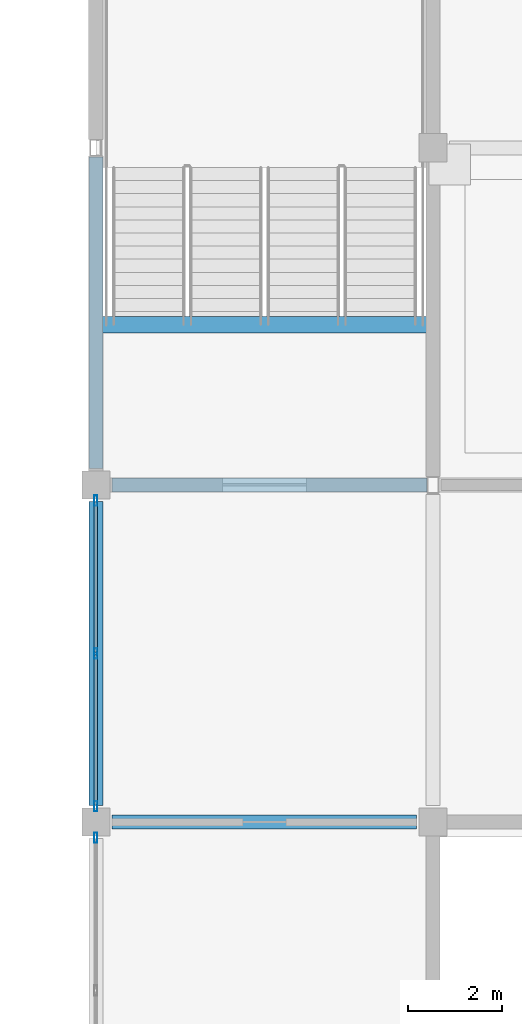
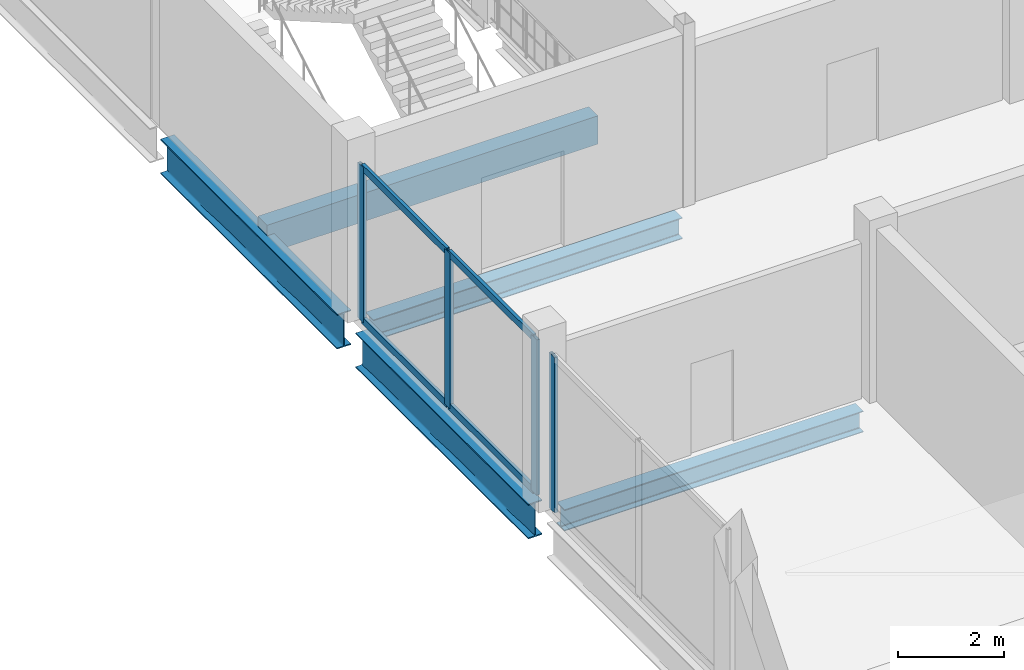
# One storey, part 11 of 51: 8 members, 5 beams, 2 elements without a shape of their own.
"""IFC4 building model written with IfcOpenShell, lengths in metres."""

from ifc_helpers import new_model, si_unit, direction, frame, origin, origin_2d, place, context, subcontext, project, spatial, rectangle, hollow_rectangle, i_section, extrude, material, material_profile, profile_set, type_object, element, aggregate, save


model = new_model("IFC4")

# Units and contexts
model_context = context("Model", 3, precision=1e-05, world=origin(), true_north=direction((0.0, 1.0)))
body_context = subcontext(model_context, "Body", "Model", "MODEL_VIEW")
ifc_project = project(units=[si_unit("LENGTHUNIT", "METRE"), si_unit("AREAUNIT", "SQUARE_METRE"), si_unit("VOLUMEUNIT", "CUBIC_METRE"), si_unit("PLANEANGLEUNIT", "RADIAN"), si_unit("MASSUNIT", "GRAM", prefix="KILO")], contexts=[model_context])

# Site, building, storey
site_placement = place(None, origin())
site = spatial("IfcSite", under=ifc_project, at=site_placement, CompositionType="ELEMENT")
building_placement = place(site_placement, origin())
building = spatial("IfcBuilding", under=site, at=building_placement, Name="Vesperath Aquatics Centre", CompositionType="ELEMENT")
storey_placement = place(building_placement, frame((0.0, 0.0, 15.0)))
storey = spatial("IfcBuildingStorey", under=building, at=storey_placement, Name="L03", CompositionType="ELEMENT", Elevation=15.0)

# Beams
ifc_material_1 = material(Name="Concrete C35", Category="concrete")
ifc_material_profile_1 = material_profile(ifc_material_1, rectangle(XDim=0.35009765625, YDim=0.64990234375, at=origin_2d()), Name="RC 350x650")
ifc_profile_set_1 = profile_set([ifc_material_profile_1], Name="Concrete C35")
beam_type_1 = type_object("IfcBeamType", Name="BM-G05", PredefinedType="BEAM", material=ifc_profile_set_1)
beam_1_placement = place(storey_placement, frame((115.199951171875, 25.02001953125, -0.324951171875), z_axis=(1.0, 0.0, 0.0), x_axis=(0.0, 1.0, 0.0)))
element("IfcBeam", 1, at=beam_1_placement, inside=storey, type_object=beam_type_1, Name="Stair ST7 Landing Trimmer Beam B05 L03", PredefinedType="BEAM", context=body_context, shape_type="SweptSolid", body=[
    extrude(rectangle(XDim=0.35009765625, YDim=0.64990234375, at=origin_2d()), origin(), (0.0, 0.0, 1.0), 7.199951171875),
])
ifc_material_2 = material(Name="Steel Q355D", Category="steel")
ifc_material_profile_2 = material_profile(ifc_material_2, i_section(OverallWidth=0.300048828125, OverallDepth=0.800048828125, WebThickness=0.013916015625, FlangeThickness=0.02587890625, FilletRadius=0.028076171875, at=origin_2d()), Name="HN 800x300x14x26")
ifc_profile_set_2 = profile_set([ifc_material_profile_2], Name="Steel Q355D")
beam_type_2 = type_object("IfcBeamType", Name="BM-G07", PredefinedType="BEAM", material=ifc_profile_set_2)
beam_2_placement = place(storey_placement, frame((115.199951171875, 14.75, -0.639892578125), z_axis=(0.0, 1.0, 0.0), x_axis=(-1.0, 0.0, 0.0)))
element("IfcBeam", 2, at=beam_2_placement, inside=storey, type_object=beam_type_2, Name="Floor Girder B07 L03 17 C-D", PredefinedType="BEAM", context=body_context, shape_type="SweptSolid", body=[
    extrude(i_section(OverallWidth=0.300048828125, OverallDepth=0.800048828125, WebThickness=0.013916015625, FlangeThickness=0.02587890625, FilletRadius=0.028076171875, at=origin_2d()), origin(), (0.0, 0.0, 1.0), 6.5),
])
beam_3_placement = place(storey_placement, frame((115.199951171875, 21.949951171875, -0.639892578125), z_axis=(0.0, 1.0, 0.0), x_axis=(-1.0, 0.0, 0.0)))
element("IfcBeam", 3, at=beam_3_placement, inside=storey, type_object=beam_type_2, Name="Floor Girder B07 L03 17 D-E", PredefinedType="BEAM", context=body_context, shape_type="SweptSolid", body=[
    extrude(i_section(OverallWidth=0.300048828125, OverallDepth=0.800048828125, WebThickness=0.013916015625, FlangeThickness=0.02587890625, FilletRadius=0.028076171875, at=origin_2d()), origin(), (0.0, 0.0, 1.0), 6.650146484375),
])
ifc_material_3 = material(Name="Steel Q355C", Category="steel")
ifc_material_profile_3 = material_profile(ifc_material_3, i_section(OverallWidth=0.300048828125, OverallDepth=0.488037109375, WebThickness=0.010986328125, FlangeThickness=0.01806640625, FilletRadius=0.02587890625, at=origin_2d()), Name="HM 488x300x11x18")
ifc_profile_set_3 = profile_set([ifc_material_profile_3], Name="Steel Q355C")
beam_type_3 = type_object("IfcBeamType", Name="BM-G10", PredefinedType="BEAM", material=ifc_profile_set_3)
beam_4_placement = place(storey_placement, frame((115.550048828125, 14.39990234375, -0.48388671875), z_axis=(1.0, 0.0, 0.0), x_axis=(0.0, 1.0, 0.0)))
element("IfcBeam", 4, at=beam_4_placement, inside=storey, type_object=beam_type_3, Name="Floor Girder B10 L03 C 17-18", PredefinedType="BEAM", context=body_context, shape_type="SweptSolid", body=[
    extrude(i_section(OverallWidth=0.300048828125, OverallDepth=0.488037109375, WebThickness=0.010986328125, FlangeThickness=0.01806640625, FilletRadius=0.02587890625, at=origin_2d()), origin(), (0.0, 0.0, 1.0), 6.5),
])
beam_5_placement = place(storey_placement, frame((115.550048828125, 21.60009765625, -0.48388671875), z_axis=(1.0, 0.0, 0.0), x_axis=(0.0, 1.0, 0.0)))
element("IfcBeam", 5, at=beam_5_placement, inside=storey, type_object=beam_type_3, Name="Floor Girder B10 L03 D 17-18", PredefinedType="BEAM", context=body_context, shape_type="SweptSolid", body=[
    extrude(i_section(OverallWidth=0.300048828125, OverallDepth=0.488037109375, WebThickness=0.010986328125, FlangeThickness=0.01806640625, FilletRadius=0.02587890625, at=origin_2d()), origin(), (0.0, 0.0, 1.0), 6.724853515625),
])

# Curtain wall, member
ifc_material_4 = material(Name="Thermally broken anodised bronze aluminium curtain wall", Category="aluminium")
curtain_wall_type = type_object("IfcCurtainWallType", Name="CW-07", PredefinedType="NOTDEFINED", material=ifc_material_4)
curtain_wall_1_placement = place(storey_placement, origin())
curtain_wall_1 = element("IfcCurtainWall", 6, at=curtain_wall_1_placement, inside=storey, type_object=curtain_wall_type, Name="Facade Curtain Wall CW07 L03_W_16_01", PredefinedType="NOTDEFINED")
ifc_material_5 = material(Name="Thermally broken anodised aluminium", Category="aluminium")
ifc_material_profile_4 = material_profile(ifc_material_5, hollow_rectangle(XDim=0.070068359375, YDim=0.219970703125, WallThickness=0.0048828125, at=origin_2d()), Name="CWM 70x220x5")
ifc_profile_set_4 = profile_set([ifc_material_profile_4], Name="Thermally broken anodised aluminium")
member_type_1 = type_object("IfcMemberType", Name="MB-CWM2", PredefinedType="MULLION", material=ifc_profile_set_4)
member_1_placement = place(storey_placement, frame((115.199951171875, 14.06494140625, 0.0), z_axis=(0.0, 0.0, 1.0), x_axis=(-1.0, 0.0, 0.0)))
member_1 = element("IfcMember", 7, at=member_1_placement, type_object=member_type_1, Name="CW07 mullion 3", PredefinedType="MULLION", context=body_context, shape_type="SweptSolid", body=[
    extrude(hollow_rectangle(XDim=0.070068359375, YDim=0.219970703125, WallThickness=0.0048828125, at=origin_2d()), origin(), (0.0, 0.0, 1.0), 3.570068359375),
])
aggregate(curtain_wall_1, [member_1])

# Curtain wall, members
curtain_wall_2_placement = place(storey_placement, origin())
curtain_wall_2 = element("IfcCurtainWall", 8, at=curtain_wall_2_placement, inside=storey, type_object=curtain_wall_type, Name="Facade Curtain Wall CW07 L03_W_16_02", PredefinedType="NOTDEFINED")
member_2_placement = place(storey_placement, frame((115.199951171875, 14.735107421875, 0.0), z_axis=(0.0, 0.0, 1.0), x_axis=(-1.0, 0.0, 0.0)))
member_2 = element("IfcMember", 9, at=member_2_placement, type_object=member_type_1, Name="CW07 mullion 1", PredefinedType="MULLION", context=body_context, shape_type="SweptSolid", body=[
    extrude(hollow_rectangle(XDim=0.070068359375, YDim=0.219970703125, WallThickness=0.0048828125, at=origin_2d()), origin(), (0.0, 0.0, 1.0), 3.570068359375),
])
member_3_placement = place(storey_placement, frame((115.199951171875, 18.0, 0.0), z_axis=(0.0, 0.0, 1.0), x_axis=(-1.0, 0.0, 0.0)))
member_3 = element("IfcMember", 10, at=member_3_placement, type_object=member_type_1, Name="CW07 mullion 2", PredefinedType="MULLION", context=body_context, shape_type="SweptSolid", body=[
    extrude(hollow_rectangle(XDim=0.070068359375, YDim=0.219970703125, WallThickness=0.0048828125, at=origin_2d()), origin(), (0.0, 0.0, 1.0), 3.570068359375),
])
member_4_placement = place(storey_placement, frame((115.199951171875, 21.264892578125, 0.0), z_axis=(0.0, 0.0, 1.0), x_axis=(-1.0, 0.0, 0.0)))
member_4 = element("IfcMember", 11, at=member_4_placement, type_object=member_type_1, Name="CW07 mullion 3", PredefinedType="MULLION", context=body_context, shape_type="SweptSolid", body=[
    extrude(hollow_rectangle(XDim=0.070068359375, YDim=0.219970703125, WallThickness=0.0048828125, at=origin_2d()), origin(), (0.0, 0.0, 1.0), 3.570068359375),
])
ifc_material_profile_5 = material_profile(ifc_material_5, hollow_rectangle(XDim=0.070068359375, YDim=0.159912109375, WallThickness=0.0048828125, at=origin_2d()), Name="CWT 70x160x5")
ifc_profile_set_5 = profile_set([ifc_material_profile_5], Name="Thermally broken anodised aluminium")
member_type_2 = type_object("IfcMemberType", Name="MB-CWT2", PredefinedType="USERDEFINED", material=ifc_profile_set_5)
member_5_placement = place(storey_placement, frame((115.199951171875, 14.77001953125, 0.034912109375), z_axis=(0.0, 1.0, 0.0), x_axis=(-1.0, 0.0, 0.0)))
member_5 = element("IfcMember", 12, at=member_5_placement, type_object=member_type_2, Name="CW07 transom 1.1", ObjectType="TRANSOM", PredefinedType="USERDEFINED", context=body_context, shape_type="SweptSolid", body=[
    extrude(hollow_rectangle(XDim=0.070068359375, YDim=0.159912109375, WallThickness=0.0048828125, at=origin_2d()), origin(), (0.0, 0.0, 1.0), 3.195068359375),
])
member_6_placement = place(storey_placement, frame((115.199951171875, 14.77001953125, 3.534912109375), z_axis=(0.0, 1.0, 0.0), x_axis=(-1.0, 0.0, 0.0)))
member_6 = element("IfcMember", 13, at=member_6_placement, type_object=member_type_2, Name="CW07 transom 1.2", ObjectType="TRANSOM", PredefinedType="USERDEFINED", context=body_context, shape_type="SweptSolid", body=[
    extrude(hollow_rectangle(XDim=0.070068359375, YDim=0.159912109375, WallThickness=0.0048828125, at=origin_2d()), origin(), (0.0, 0.0, 1.0), 3.195068359375),
])
member_7_placement = place(storey_placement, frame((115.199951171875, 18.034912109375, 0.034912109375), z_axis=(0.0, 1.0, 0.0), x_axis=(-1.0, 0.0, 0.0)))
member_7 = element("IfcMember", 14, at=member_7_placement, type_object=member_type_2, Name="CW07 transom 2.1", ObjectType="TRANSOM", PredefinedType="USERDEFINED", context=body_context, shape_type="SweptSolid", body=[
    extrude(hollow_rectangle(XDim=0.070068359375, YDim=0.159912109375, WallThickness=0.0048828125, at=origin_2d()), origin(), (0.0, 0.0, 1.0), 3.195068359375),
])
member_8_placement = place(storey_placement, frame((115.199951171875, 18.034912109375, 3.534912109375), z_axis=(0.0, 1.0, 0.0), x_axis=(-1.0, 0.0, 0.0)))
member_8 = element("IfcMember", 15, at=member_8_placement, type_object=member_type_2, Name="CW07 transom 2.2", ObjectType="TRANSOM", PredefinedType="USERDEFINED", context=body_context, shape_type="SweptSolid", body=[
    extrude(hollow_rectangle(XDim=0.070068359375, YDim=0.159912109375, WallThickness=0.0048828125, at=origin_2d()), origin(), (0.0, 0.0, 1.0), 3.195068359375),
])
aggregate(curtain_wall_2, [member_2, member_3, member_4, member_5, member_6, member_7, member_8])

save(model, "model.ifc")
